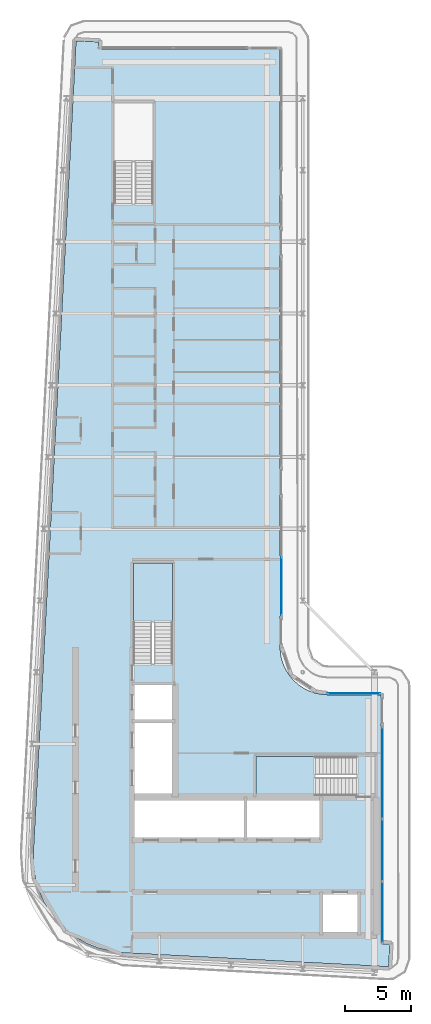
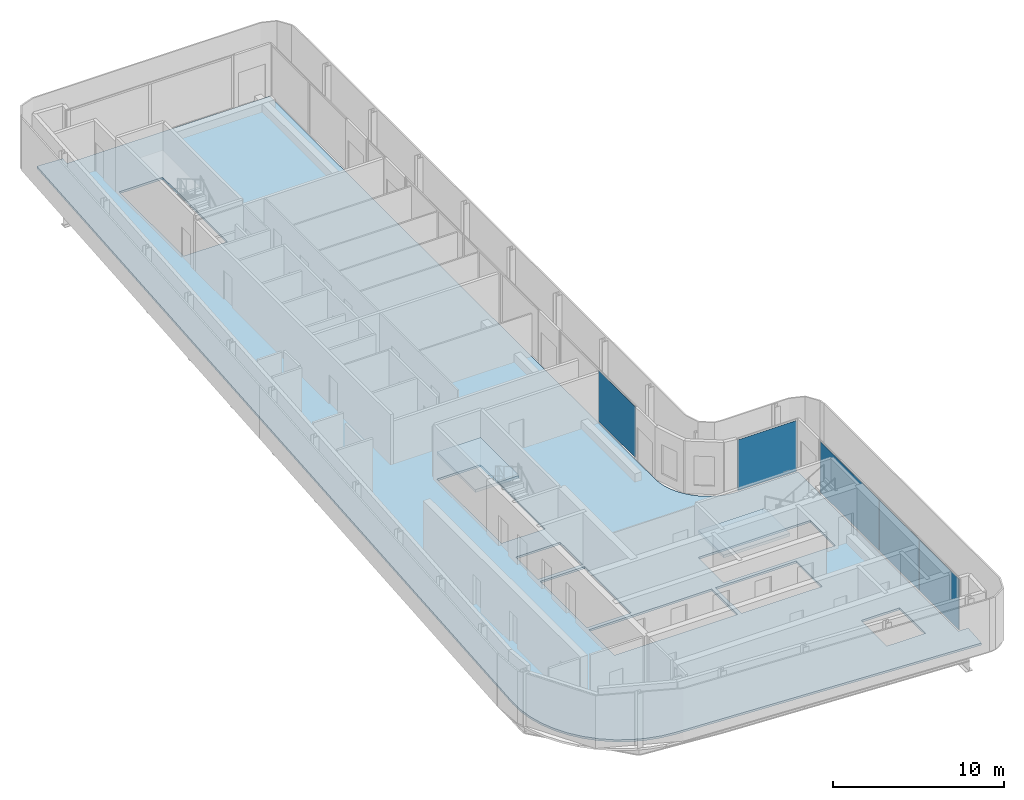
# One storey, part 7 of 19: 5 plates, 3 slabs, 6 elements without a shape of their own.
"""IFC4 building model written with IfcOpenShell, lengths in metres."""

from ifc_helpers import new_model, si_unit, direction, frame, origin, origin_2d, place, context, subcontext, project, spatial, polyline, rectangle, outline, extrude, material, layer, layer_set, type_object, element, aggregate, save


model = new_model("IFC4")

# Units and contexts
model_context = context("Model", 3, precision=1e-05, world=origin(), true_north=direction((0.0, 1.0)))
body_context = subcontext(model_context, "Body", "Model", "MODEL_VIEW")
ifc_project = project(units=[si_unit("LENGTHUNIT", "METRE"), si_unit("AREAUNIT", "SQUARE_METRE"), si_unit("VOLUMEUNIT", "CUBIC_METRE"), si_unit("PLANEANGLEUNIT", "RADIAN"), si_unit("MASSUNIT", "GRAM", prefix="KILO")], contexts=[model_context])

# Site, building, storey
site_placement = place(None, origin())
site = spatial("IfcSite", under=ifc_project, at=site_placement, CompositionType="ELEMENT")
building_placement = place(site_placement, origin())
building = spatial("IfcBuilding", under=site, at=building_placement, Name="Kheshtan School and Residences Tower", CompositionType="ELEMENT")
storey_placement = place(building_placement, frame((0.0, 0.0, 353.89990234375)))
storey = spatial("IfcBuildingStorey", under=building, at=storey_placement, Name="L83", CompositionType="ELEMENT", Elevation=353.89990234375)

# Curtain wall, plate
ifc_material_1 = material(Name="Clear low-e glass in thermally broken aluminium frame", Category="aluminium")
ifc_layer_1 = layer(ifc_material_1, 0.199951171875)
ifc_layer_set_1 = layer_set([ifc_layer_1], Name="Curtain wall CW-B")
curtain_wall_type_1 = type_object("IfcCurtainWallType", Name="Curtain wall CW-B", PredefinedType="NOTDEFINED", material=ifc_layer_set_1)
curtain_wall_1_placement = place(storey_placement, origin())
curtain_wall_1 = element("IfcCurtainWall", 1, at=curtain_wall_1_placement, inside=storey, type_object=curtain_wall_type_1, Name="Curtain wall CWB8", PredefinedType="NOTDEFINED")
ifc_layer_2 = layer(ifc_material_1, 0.031982421875)
ifc_layer_set_2 = layer_set([ifc_layer_2], Name="CW-B glass panel")
plate_type_1 = type_object("IfcPlateType", Name="CW-B glass panel", PredefinedType="CURTAIN_PANEL", material=ifc_layer_set_2)
plate_1_placement = place(storey_placement, frame((51.465087890625, 44.0, 0.000244140625), z_axis=(0.0, 0.0, 1.0), x_axis=(1.0, 0.0, 0.0)))
plate_1 = element("IfcPlate", 2, at=plate_1_placement, type_object=plate_type_1, Name="CWB8 panel 1.1", PredefinedType="CURTAIN_PANEL", context=body_context, shape_type="SweptSolid", body=[
    extrude(rectangle(XDim=3.949951171875, YDim=0.031982421875, at=origin_2d()), origin(), (0.0, 0.0, 1.0), 3.6298828125),
])
aggregate(curtain_wall_1, [plate_1])

ifc_layer_3 = layer(ifc_material_1, 0.199951171875)
ifc_layer_set_3 = layer_set([ifc_layer_3], Name="Curtain wall CW-L")
curtain_wall_type_2 = type_object("IfcCurtainWallType", Name="Curtain wall CW-L", PredefinedType="NOTDEFINED", material=ifc_layer_set_3)
curtain_wall_2_placement = place(storey_placement, origin())
curtain_wall_2 = element("IfcCurtainWall", 3, at=curtain_wall_2_placement, inside=storey, type_object=curtain_wall_type_2, Name="Curtain wall CWL4b", PredefinedType="NOTDEFINED")
ifc_layer_4 = layer(ifc_material_1, 0.031982421875)
ifc_layer_set_4 = layer_set([ifc_layer_4], Name="CW-L glass panel")
plate_type_2 = type_object("IfcPlateType", Name="CW-L glass panel", PredefinedType="CURTAIN_PANEL", material=ifc_layer_set_4)
plate_2_placement = place(storey_placement, frame((46.0, 52.061767578125, 0.000244140625), z_axis=(0.0, 0.0, 1.0), x_axis=(0.0, -1.0, 0.0)))
plate_2 = element("IfcPlate", 4, at=plate_2_placement, type_object=plate_type_2, Name="CWL4b panel 2.1", PredefinedType="CURTAIN_PANEL", context=body_context, shape_type="SweptSolid", body=[
    extrude(rectangle(XDim=4.34375, YDim=0.031982421875, at=origin_2d()), origin(), (0.0, 0.0, 1.0), 3.6298828125),
])
aggregate(curtain_wall_2, [plate_2])

curtain_wall_3_placement = place(storey_placement, origin())
curtain_wall_3 = element("IfcCurtainWall", 5, at=curtain_wall_3_placement, inside=storey, type_object=curtain_wall_type_2, Name="Curtain wall CWL9e", PredefinedType="NOTDEFINED")
plate_3_placement = place(storey_placement, frame((53.60009765625, 38.013916015625, 0.000244140625), z_axis=(0.0, 0.0, 1.0), x_axis=(0.0, -1.0, 0.0)))
plate_3 = element("IfcPlate", 6, at=plate_3_placement, type_object=plate_type_2, Name="CWL9e panel 1.1", PredefinedType="CURTAIN_PANEL", context=body_context, shape_type="SweptSolid", body=[
    extrude(rectangle(XDim=6.85205078125, YDim=0.031982421875, at=origin_2d()), origin(), (0.0, 0.0, 1.0), 3.6298828125),
])
aggregate(curtain_wall_3, [plate_3])

# Curtain wall, plates
curtain_wall_4_placement = place(storey_placement, origin())
curtain_wall_4 = element("IfcCurtainWall", 7, at=curtain_wall_4_placement, inside=storey, type_object=curtain_wall_type_2, Name="Curtain wall CWL9d", PredefinedType="NOTDEFINED")
plate_4_placement = place(storey_placement, frame((53.60009765625, 32.199951171875, 0.000244140625), z_axis=(0.0, 0.0, 1.0), x_axis=(0.0, -1.0, 0.0)))
plate_4 = element("IfcPlate", 8, at=plate_4_placement, type_object=plate_type_2, Name="CWL9d panel 1.1", PredefinedType="CURTAIN_PANEL", context=body_context, shape_type="SweptSolid", body=[
    extrude(rectangle(XDim=4.656005859375, YDim=0.031982421875, at=origin_2d()), origin(), (0.0, 0.0, 1.0), 3.6298828125),
])
plate_5_placement = place(storey_placement, frame((53.60009765625, 27.513916015625, 0.000244140625), z_axis=(0.0, 0.0, 1.0), x_axis=(0.0, -1.0, 0.0)))
plate_5 = element("IfcPlate", 9, at=plate_5_placement, type_object=plate_type_2, Name="CWL9d panel 2.1", PredefinedType="CURTAIN_PANEL", context=body_context, shape_type="SweptSolid", body=[
    extrude(rectangle(XDim=4.595947265625, YDim=0.031982421875, at=origin_2d()), origin(), (0.0, 0.0, 1.0), 3.6298828125),
])
aggregate(curtain_wall_4, [plate_4, plate_5])

# Slab
ifc_material_2 = material(Name="Concrete C40/50", Category="concrete")
ifc_layer_5 = layer(ifc_material_2, 0.14990234375)
ifc_layer_set_5 = layer_set([ifc_layer_5], Name="Floor slab 150 Concrete C40/50")
slab_type_1 = type_object("IfcSlabType", Name="Floor slab 150 Concrete C40/50", PredefinedType="FLOOR", material=ifc_layer_set_5)
slab_1_placement = place(storey_placement, frame((0.0, 0.0, -0.14990234375)))
element("IfcSlab", 10, at=slab_1_placement, inside=storey, type_object=slab_type_1, Name="Floor slab L83", PredefinedType="FLOOR", context=body_context, shape_type="SweptSolid", body=[
    extrude(outline(polyline([(28.55908203125, 27.550048828125), (28.0849609375, 28.345947265625), (27.718017578125, 29.200927734375), (27.466064453125, 30.093017578125), (27.466064453125, 30.093994140625), (27.3330078125, 31.013916015625), (27.320068359375, 31.965087890625), (27.320068359375, 31.970947265625), (30.5380859375, 93.10107421875), (30.5390625, 93.10791015625), (30.5419921875, 93.131103515625), (30.5419921875, 93.132080078125), (30.54296875, 93.132080078125), (31.137939453125, 93.10009765625), (31.138916015625, 93.10009765625), (31.138916015625, 93.09912109375), (31.138916015625, 93.094970703125), (31.138916015625, 93.093994140625), (31.139892578125, 93.093994140625), (31.139892578125, 93.093017578125), (31.14111328125, 93.093017578125), (31.14208984375, 93.093017578125), (31.14208984375, 93.093994140625), (31.14404296875, 93.095947265625), (31.14501953125, 93.096923828125), (31.14599609375, 93.097900390625), (31.14697265625, 93.097900390625), (31.14697265625, 93.09912109375), (31.14794921875, 93.09912109375), (31.14794921875, 93.10009765625), (31.14892578125, 93.10009765625), (31.152099609375, 93.10205078125), (31.155029296875, 93.10205078125), (31.156005859375, 93.10205078125), (31.156005859375, 93.10302734375), (31.156982421875, 93.10302734375), (31.162109375, 93.10302734375), (32.217041015625, 93.047119140625), (32.219970703125, 93.047119140625), (32.220947265625, 93.047119140625), (32.220947265625, 93.0458984375), (32.221923828125, 93.0458984375), (32.22607421875, 93.0458984375), (32.22607421875, 93.044921875), (32.22705078125, 93.044921875), (32.22705078125, 93.0439453125), (32.22802734375, 93.0439453125), (32.22802734375, 93.04296875), (32.22900390625, 93.04296875), (32.22998046875, 93.04296875), (32.22998046875, 93.0419921875), (32.23095703125, 93.0419921875), (32.23193359375, 93.0419921875), (32.23193359375, 93.041015625), (32.23388671875, 93.0390625), (32.235107421875, 93.0390625), (32.235107421875, 93.0380859375), (32.235107421875, 93.037109375), (32.236083984375, 93.037109375), (32.236083984375, 93.035888671875), (32.237060546875, 93.035888671875), (32.237060546875, 93.033935546875), (32.237060546875, 93.032958984375), (32.238037109375, 93.032958984375), (32.238037109375, 93.031982421875), (32.239013671875, 93.031982421875), (32.239013671875, 93.031005859375), (32.239013671875, 93.029052734375), (32.239013671875, 93.028076171875), (32.239990234375, 93.028076171875), (32.239990234375, 93.027099609375), (32.239990234375, 93.02197265625), (32.212890625, 92.52099609375), (32.212890625, 92.51806640625), (32.212890625, 92.51708984375), (32.2119140625, 92.51708984375), (32.2119140625, 92.51611328125), (32.2119140625, 92.511962890625), (32.2109375, 92.510009765625), (32.2099609375, 92.510009765625), (32.2099609375, 92.509033203125), (32.208984375, 92.509033203125), (32.208984375, 92.508056640625), (32.2080078125, 92.507080078125), (32.2060546875, 92.5048828125), (32.205078125, 92.50390625), (32.2041015625, 92.50390625), (32.2041015625, 92.5029296875), (32.2041015625, 92.501953125), (32.2041015625, 92.5009765625), (32.205078125, 92.5009765625), (32.205078125, 92.5), (32.2060546875, 92.5), (45.85498046875, 92.5), (45.860107421875, 92.4990234375), (45.864990234375, 92.498046875), (45.865966796875, 92.498046875), (45.868896484375, 92.49609375), (45.8740234375, 92.493896484375), (45.8779296875, 92.491943359375), (45.881103515625, 92.489990234375), (45.881103515625, 92.489013671875), (45.882080078125, 92.489013671875), (45.882080078125, 92.488037109375), (45.883056640625, 92.488037109375), (45.884033203125, 92.485107421875), (45.885009765625, 92.485107421875), (45.885009765625, 92.48388671875), (45.887939453125, 92.48291015625), (45.887939453125, 92.48193359375), (45.888916015625, 92.48193359375), (45.888916015625, 92.48095703125), (45.889892578125, 92.48095703125), (45.89208984375, 92.47802734375), (45.89404296875, 92.47412109375), (45.89599609375, 92.468994140625), (45.89794921875, 92.466064453125), (45.89794921875, 92.465087890625), (45.89892578125, 92.4599609375), (45.89990234375, 92.455078125), (45.89990234375, 47.429931640625), (45.927001953125, 47.030029296875), (46.01806640625, 46.570068359375), (46.01806640625, 46.569091796875), (46.169921875, 46.1201171875), (46.37890625, 45.697021484375), (46.638916015625, 45.30810546875), (46.949951171875, 44.950927734375), (46.950927734375, 44.949951171875), (47.30810546875, 44.638916015625), (47.697021484375, 44.37890625), (48.1201171875, 44.169921875), (48.569091796875, 44.01806640625), (48.570068359375, 44.01806640625), (49.030029296875, 43.927001953125), (49.429931640625, 43.89990234375), (53.455078125, 43.89990234375), (53.465087890625, 43.89794921875), (53.466064453125, 43.89794921875), (53.468994140625, 43.89599609375), (53.47412109375, 43.89404296875), (53.47802734375, 43.89208984375), (53.48095703125, 43.889892578125), (53.48095703125, 43.888916015625), (53.48193359375, 43.888916015625), (53.48193359375, 43.887939453125), (53.48291015625, 43.887939453125), (53.48388671875, 43.885009765625), (53.485107421875, 43.885009765625), (53.485107421875, 43.884033203125), (53.488037109375, 43.883056640625), (53.488037109375, 43.882080078125), (53.489013671875, 43.882080078125), (53.489013671875, 43.881103515625), (53.489990234375, 43.881103515625), (53.491943359375, 43.8779296875), (53.493896484375, 43.8740234375), (53.49609375, 43.868896484375), (53.498046875, 43.865966796875), (53.498046875, 43.864990234375), (53.4990234375, 43.860107421875), (53.5, 43.85498046875), (53.5, 25.15087890625), (53.5, 25.14990234375), (53.5009765625, 25.14990234375), (53.5009765625, 25.14892578125), (53.501953125, 25.14892578125), (53.5029296875, 25.14892578125), (53.5029296875, 25.14990234375), (53.506103515625, 25.153076171875), (53.507080078125, 25.154052734375), (53.508056640625, 25.154052734375), (53.508056640625, 25.155029296875), (53.509033203125, 25.155029296875), (53.509033203125, 25.156005859375), (53.512939453125, 25.157958984375), (53.51611328125, 25.157958984375), (53.51708984375, 25.157958984375), (53.51708984375, 25.158935546875), (53.51806640625, 25.158935546875), (53.52294921875, 25.158935546875), (54.137939453125, 25.1259765625), (54.14111328125, 25.1259765625), (54.14208984375, 25.1259765625), (54.14208984375, 25.125), (54.14306640625, 25.125), (54.14697265625, 25.125), (54.14697265625, 25.1240234375), (54.14794921875, 25.1240234375), (54.14794921875, 25.123046875), (54.14892578125, 25.123046875), (54.14892578125, 25.1220703125), (54.14990234375, 25.1220703125), (54.15087890625, 25.1220703125), (54.15087890625, 25.12109375), (54.152099609375, 25.12109375), (54.153076171875, 25.12109375), (54.156005859375, 25.117919921875), (54.156005859375, 25.116943359375), (54.156005859375, 25.115966796875), (54.156982421875, 25.115966796875), (54.156982421875, 25.114990234375), (54.157958984375, 25.114990234375), (54.157958984375, 25.113037109375), (54.157958984375, 25.112060546875), (54.158935546875, 25.112060546875), (54.158935546875, 25.111083984375), (54.159912109375, 25.111083984375), (54.159912109375, 25.110107421875), (54.159912109375, 25.10791015625), (54.159912109375, 25.10693359375), (54.160888671875, 25.10693359375), (54.160888671875, 25.10595703125), (54.160888671875, 25.10107421875), (54.10498046875, 24.0439453125), (54.10498046875, 24.041015625), (54.10498046875, 24.0400390625), (54.10400390625, 24.0400390625), (54.10400390625, 24.0390625), (54.10400390625, 24.034912109375), (54.10302734375, 24.033935546875), (54.10302734375, 24.032958984375), (54.10205078125, 24.032958984375), (54.10205078125, 24.031982421875), (54.10107421875, 24.031982421875), (54.10107421875, 24.031005859375), (54.096923828125, 24.027099609375), (54.095947265625, 24.027099609375), (54.095947265625, 24.02587890625), (54.095947265625, 24.02490234375), (54.095947265625, 24.02392578125), (54.096923828125, 24.02392578125), (54.096923828125, 24.02294921875), (54.097900390625, 24.02294921875), (54.09912109375, 24.02294921875), (54.10009765625, 24.02294921875), (54.10009765625, 24.02197265625), (54.068115234375, 23.427001953125), (54.068115234375, 23.426025390625), (54.06689453125, 23.426025390625), (54.04296875, 23.425048828125), (54.0380859375, 23.425048828125), (34.056884765625, 24.47802734375), (33.114990234375, 24.590087890625), (32.215087890625, 24.819091796875), (32.214111328125, 24.819091796875), (31.35205078125, 25.1630859375), (30.541015625, 25.616943359375), (29.799072265625, 26.1708984375), (29.799072265625, 26.172119140625), (29.798095703125, 26.172119140625), (29.134033203125, 26.820068359375), (29.134033203125, 26.821044921875), (29.133056640625, 26.821044921875), (28.55908203125, 27.550048828125)]), holes=[polyline([(53.5009765625, 24.030029296875), (53.5, 24.030029296875), (53.5, 24.029052734375), (53.5, 24.02490234375), (53.5, 24.02392578125), (53.5009765625, 24.02392578125), (53.5009765625, 24.02294921875), (53.501953125, 24.02294921875), (53.506103515625, 24.02294921875), (53.507080078125, 24.02294921875), (53.507080078125, 24.02392578125), (53.508056640625, 24.02392578125), (53.508056640625, 24.02490234375), (53.508056640625, 24.02587890625), (53.507080078125, 24.02587890625), (53.50390625, 24.029052734375), (53.5029296875, 24.030029296875), (53.5029296875, 24.031005859375), (53.501953125, 24.031005859375), (53.5009765625, 24.031005859375), (53.5009765625, 24.030029296875)]), polyline([(31.139892578125, 92.507080078125), (31.138916015625, 92.507080078125), (31.138916015625, 92.506103515625), (31.138916015625, 92.501953125), (31.138916015625, 92.5009765625), (31.139892578125, 92.5009765625), (31.139892578125, 92.5), (31.14111328125, 92.5), (31.14501953125, 92.5), (31.14599609375, 92.5), (31.14599609375, 92.5009765625), (31.14697265625, 92.5009765625), (31.14697265625, 92.501953125), (31.14697265625, 92.5029296875), (31.14599609375, 92.5029296875), (31.14501953125, 92.50390625), (31.14404296875, 92.5048828125), (31.14306640625, 92.506103515625), (31.14208984375, 92.507080078125), (31.14208984375, 92.508056640625), (31.14111328125, 92.508056640625), (31.139892578125, 92.508056640625), (31.139892578125, 92.507080078125)]), polyline([(51.72509765625, 28.925048828125), (49.125, 28.925048828125), (49.125, 25.925048828125), (51.72509765625, 25.925048828125), (51.72509765625, 28.925048828125)]), polyline([(43.175048828125, 33.074951171875), (43.175048828125, 36.074951171875), (34.875, 36.074951171875), (34.875, 33.074951171875), (43.175048828125, 33.074951171875)]), polyline([(43.425048828125, 36.074951171875), (43.425048828125, 33.074951171875), (48.875, 33.074951171875), (48.875, 36.074951171875), (43.425048828125, 36.074951171875)]), polyline([(51.64990234375, 37.699951171875), (51.64990234375, 39.25), (44.090087890625, 39.25), (44.090087890625, 36.300048828125), (51.639892578125, 36.300048828125), (51.639892578125, 37.699951171875), (51.64990234375, 37.699951171875)]), polyline([(37.875, 41.77490234375), (34.875, 41.77490234375), (34.875, 36.324951171875), (37.875, 36.324951171875), (37.875, 41.77490234375)]), polyline([(37.875, 44.625), (34.875, 44.625), (34.875, 42.02490234375), (37.875, 42.02490234375), (37.875, 44.625)]), polyline([(37.800048828125, 53.81005859375), (34.85009765625, 53.81005859375), (34.85009765625, 46.260009765625), (36.25, 46.260009765625), (36.25, 46.25), (37.800048828125, 46.25), (37.800048828125, 53.81005859375)]), polyline([(36.35009765625, 88.4599609375), (33.39990234375, 88.4599609375), (33.39990234375, 80.909912109375), (34.800048828125, 80.909912109375), (34.800048828125, 80.89990234375), (36.35009765625, 80.89990234375), (36.35009765625, 88.4599609375)])]), origin(), (0.0, 0.0, 1.0), 0.14990234375),
])

# Stair, slab
stair_type = type_object("IfcStairType", Name="Exit stair, half-turn", PredefinedType="HALF_TURN_STAIR", material=ifc_material_2)
stair_1_placement = place(storey_placement, origin())
stair_1 = element("IfcStair", 11, at=stair_1_placement, inside=storey, type_object=stair_type, Name="L83 Protected Exit Stair ST1", PredefinedType="HALF_TURN_STAIR")
ifc_layer_6 = layer(ifc_material_2, 0.199951171875)
ifc_layer_set_6 = layer_set([ifc_layer_6], Name="Stair landing 200 Concrete C40/50")
slab_type_2 = type_object("IfcSlabType", Name="Stair landing 200 Concrete C40/50", PredefinedType="LANDING", material=ifc_layer_set_6)
slab_2_placement = place(storey_placement, frame((0.0, 0.0, 1.75)))
slab_2 = element("IfcSlab", 12, at=slab_2_placement, type_object=slab_type_2, Name="ST1 landing 1", PredefinedType="LANDING", context=body_context, shape_type="SweptSolid", body=[
    extrude(outline(polyline([(48.570068359375, 39.25), (44.090087890625, 39.25), (44.090087890625, 36.300048828125), (48.570068359375, 36.300048828125), (48.570068359375, 39.25)])), origin(), (0.0, 0.0, 1.0), 0.2001953125),
])
aggregate(stair_1, [slab_2])

stair_2_placement = place(storey_placement, origin())
stair_2 = element("IfcStair", 13, at=stair_2_placement, inside=storey, type_object=stair_type, Name="L83 Protected Exit Stair ST2", PredefinedType="HALF_TURN_STAIR")
slab_3_placement = place(storey_placement, frame((0.0, 0.0, 1.75)))
slab_3 = element("IfcSlab", 14, at=slab_3_placement, type_object=slab_type_2, Name="ST2 landing 1", PredefinedType="LANDING", context=body_context, shape_type="SweptSolid", body=[
    extrude(outline(polyline([(37.800048828125, 49.330078125), (37.800048828125, 53.81005859375), (34.85009765625, 53.81005859375), (34.85009765625, 49.330078125), (37.800048828125, 49.330078125)])), origin(), (0.0, 0.0, 1.0), 0.2001953125),
])
aggregate(stair_2, [slab_3])

save(model, "model.ifc")
